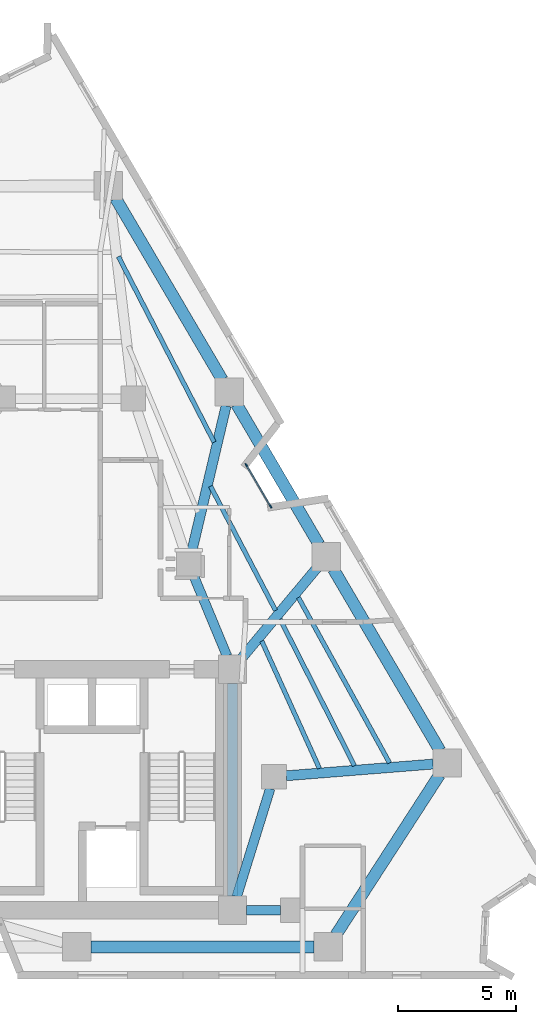
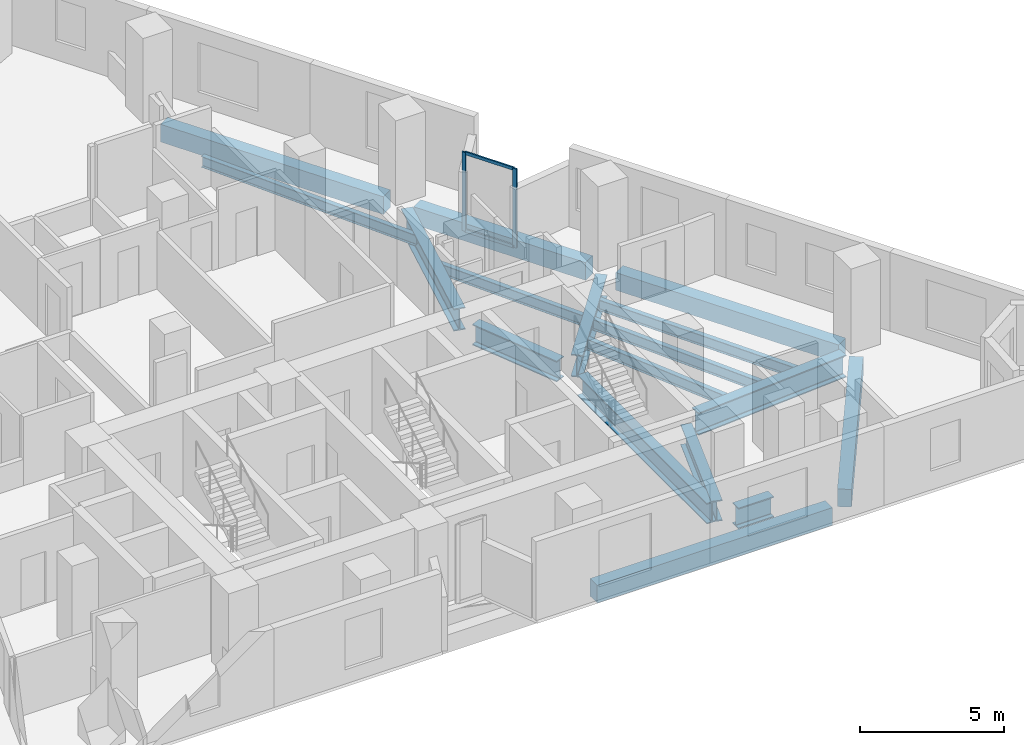
# One storey, part 4 of 11: 17 beams, 4 members, 1 element without a shape of its own.
"""IFC4 building model written with IfcOpenShell, lengths in metres."""

from ifc_helpers import new_model, si_unit, direction, frame, origin, origin_2d, place, context, subcontext, project, spatial, rectangle, i_section, extrude, material, layer, layer_set, material_profile, profile_set, type_object, element, aggregate, save


model = new_model("IFC4")

# Units and contexts
model_context = context("Model", 3, precision=1e-05, world=origin(), true_north=direction((0.0, 1.0)))
body_context = subcontext(model_context, "Body", "Model", "MODEL_VIEW")
ifc_project = project(units=[si_unit("LENGTHUNIT", "METRE"), si_unit("AREAUNIT", "SQUARE_METRE"), si_unit("VOLUMEUNIT", "CUBIC_METRE"), si_unit("PLANEANGLEUNIT", "RADIAN"), si_unit("MASSUNIT", "GRAM", prefix="KILO")], contexts=[model_context])

# Site, building, storey
site_placement = place(None, origin())
site = spatial("IfcSite", under=ifc_project, at=site_placement, CompositionType="ELEMENT")
building_placement = place(site_placement, origin())
building = spatial("IfcBuilding", under=site, at=building_placement, Name="Almagre Mirador Tower", CompositionType="ELEMENT")
storey_placement = place(building_placement, frame((0.0, 0.0, 128.39990234375)))
storey = spatial("IfcBuildingStorey", under=building, at=storey_placement, Name="L32", CompositionType="ELEMENT", Elevation=128.39990234375)

# Beams
ifc_material_1 = material(Name="Steel ASTM A992 Grade 50", Category="steel")
ifc_material_profile_1 = material_profile(ifc_material_1, i_section(OverallWidth=0.19091796875, OverallDepth=0.4599609375, WebThickness=0.010009765625, FlangeThickness=0.01611328125, FilletRadius=0.01611328125, at=origin_2d()), Name="W18X55")
ifc_profile_set_1 = profile_set([ifc_material_profile_1], Name="Steel ASTM A992 Grade 50")
beam_type_1 = type_object("IfcBeamType", Name="BM-JST-W18X55", PredefinedType="JOIST", material=ifc_profile_set_1)
beam_1_placement = place(storey_placement, frame((53.693603515625, 10.783203125, -0.47998046875), z_axis=(-0.482517733723, 0.875886200738, 0.0), x_axis=(-0.875886200738, -0.482517733723, 0.0)))
element("IfcBeam", 1, at=beam_1_placement, inside=storey, type_object=beam_type_1, Name="L32 secondary floor joist PC05-PC06.1", PredefinedType="JOIST", context=body_context, shape_type="SweptSolid", body=[
    extrude(i_section(OverallWidth=0.19091796875, OverallDepth=0.4599609375, WebThickness=0.010009765625, FlangeThickness=0.01611328125, FilletRadius=0.01611328125, at=origin_2d()), origin(), (0.0, 0.0, 1.0), 7.993896484375),
])
beam_2_placement = place(storey_placement, frame((52.208984375, 10.667724609375, -0.47998046875), z_axis=(-0.452785638359, 0.891619406303, 0.0), x_axis=(-0.891619406303, -0.452785638359, 0.0)))
element("IfcBeam", 2, at=beam_2_placement, inside=storey, type_object=beam_type_1, Name="L32 secondary floor joist PC05-PC06.2", PredefinedType="JOIST", context=body_context, shape_type="SweptSolid", body=[
    extrude(i_section(OverallWidth=0.19091796875, OverallDepth=0.4599609375, WebThickness=0.010009765625, FlangeThickness=0.01611328125, FilletRadius=0.01611328125, at=origin_2d()), origin(), (0.0, 0.0, 1.0), 6.947021484375),
])
beam_3_placement = place(storey_placement, frame((50.726806640625, 10.552978515625, -0.47998046875), z_axis=(-0.412539238264, 0.910939831653, 0.0), x_axis=(-0.910939831653, -0.412539238264, 0.0)))
element("IfcBeam", 3, at=beam_3_placement, inside=storey, type_object=beam_type_1, Name="L32 secondary floor joist PC05-PC06.3", PredefinedType="JOIST", context=body_context, shape_type="SweptSolid", body=[
    extrude(i_section(OverallWidth=0.19091796875, OverallDepth=0.4599609375, WebThickness=0.010009765625, FlangeThickness=0.01611328125, FilletRadius=0.01611328125, at=origin_2d()), origin(), (0.0, 0.0, 1.0), 5.911376953125),
])
beam_4_placement = place(storey_placement, frame((48.869384765625, 17.23779296875, -0.47998046875), z_axis=(-0.463750104962, 0.885966049094, 0.0), x_axis=(-0.885966049094, -0.463750104962, 0.0)))
element("IfcBeam", 4, at=beam_4_placement, inside=storey, type_object=beam_type_1, Name="L32 secondary floor joist PC06-PC07.2", PredefinedType="JOIST", context=body_context, shape_type="SweptSolid", body=[
    extrude(i_section(OverallWidth=0.19091796875, OverallDepth=0.4599609375, WebThickness=0.010009765625, FlangeThickness=0.01611328125, FilletRadius=0.01611328125, at=origin_2d()), origin(), (0.0, 0.0, 1.0), 5.930908203125),
])
beam_5_placement = place(storey_placement, frame((46.27392578125, 24.352294921875, -0.47998046875), z_axis=(-0.458369241004, 0.888761857249, 0.0), x_axis=(-0.888761857249, -0.458369241004, 0.0)))
element("IfcBeam", 5, at=beam_5_placement, inside=storey, type_object=beam_type_1, Name="L32 secondary floor joist PC07-PC08.1", PredefinedType="JOIST", context=body_context, shape_type="SweptSolid", body=[
    extrude(i_section(OverallWidth=0.19091796875, OverallDepth=0.4599609375, WebThickness=0.010009765625, FlangeThickness=0.01611328125, FilletRadius=0.01611328125, at=origin_2d()), origin(), (0.0, 0.0, 1.0), 8.840087890625),
])
ifc_material_2 = material(Name="Precast concrete C50/60", Category="concrete")
ifc_material_profile_2 = material_profile(ifc_material_2, rectangle(XDim=0.5, YDim=0.75, at=origin_2d()), Name="RC500X750")
ifc_profile_set_2 = profile_set([ifc_material_profile_2], Name="Precast concrete C50/60")
beam_type_2 = type_object("IfcBeamType", Name="BM-SPN-RC500X750", PredefinedType="SPANDREL", material=ifc_profile_set_2)
beam_6_placement = place(storey_placement, frame((41.055908203125, 3.0, -0.625), z_axis=(1.0, 0.0, 0.0), x_axis=(0.0, 1.0, 0.0)))
element("IfcBeam", 6, at=beam_6_placement, inside=storey, type_object=beam_type_2, Name="L32 perimeter spandrel beam PC03-PC04", PredefinedType="SPANDREL", context=body_context, shape_type="SweptSolid", body=[
    extrude(rectangle(XDim=0.5, YDim=0.75, at=origin_2d()), origin(), (0.0, 0.0, 1.0), 9.440185546875),
])
beam_7_placement = place(storey_placement, frame((51.422119140625, 3.503662109375, -0.625), z_axis=(0.543242499017, 0.839575837707, 0.0), x_axis=(-0.839575837707, 0.543242499017, 0.0)))
element("IfcBeam", 7, at=beam_7_placement, inside=storey, type_object=beam_type_2, Name="L32 perimeter spandrel beam PC04-PC05", PredefinedType="SPANDREL", context=body_context, shape_type="SweptSolid", body=[
    extrude(rectangle(XDim=0.5, YDim=0.75, at=origin_2d()), origin(), (0.0, 0.0, 1.0), 8.071533203125),
])
beam_8_placement = place(storey_placement, frame((55.8291015625, 11.301513671875, -0.625), z_axis=(-0.506318387543, 0.862346618498, 0.0), x_axis=(-0.862346618498, -0.506318387543, 0.0)))
element("IfcBeam", 8, at=beam_8_placement, inside=storey, type_object=beam_type_2, Name="L32 perimeter spandrel beam PC05-PC06", PredefinedType="SPANDREL", context=body_context, shape_type="SweptSolid", body=[
    extrude(rectangle(XDim=0.5, YDim=0.75, at=origin_2d()), origin(), (0.0, 0.0, 1.0), 8.911865234375),
])
beam_9_placement = place(storey_placement, frame((50.709228515625, 20.021484375, -0.625), z_axis=(-0.506343227047, 0.862332033745, 0.0), x_axis=(-0.862332033745, -0.506343227047, 0.0)))
element("IfcBeam", 9, at=beam_9_placement, inside=storey, type_object=beam_type_2, Name="L32 perimeter spandrel beam PC06-PC07", PredefinedType="SPANDREL", context=body_context, shape_type="SweptSolid", body=[
    extrude(rectangle(XDim=0.5, YDim=0.75, at=origin_2d()), origin(), (0.0, 0.0, 1.0), 6.8896484375),
])
beam_10_placement = place(storey_placement, frame((46.61328125, 26.997314453125, -0.625), z_axis=(-0.506326798076, 0.862341680281, 0.0), x_axis=(-0.862341680281, -0.506326798076, 0.0)))
element("IfcBeam", 10, at=beam_10_placement, inside=storey, type_object=beam_type_2, Name="L32 perimeter spandrel beam PC07-PC08", PredefinedType="SPANDREL", context=body_context, shape_type="SweptSolid", body=[
    extrude(rectangle(XDim=0.5, YDim=0.75, at=origin_2d()), origin(), (0.0, 0.0, 1.0), 8.912109375),
])
ifc_material_3 = material(Name="Steel ASTM A992 Grade 50", Category="steel")
ifc_material_profile_3 = material_profile(ifc_material_3, i_section(OverallWidth=0.404052734375, OverallDepth=0.884033203125, WebThickness=0.0244140625, FlangeThickness=0.0439453125, FilletRadius=0.02490234375, at=origin_2d()), Name="W33X291")
ifc_profile_set_3 = profile_set([ifc_material_profile_3], Name="Steel ASTM A992 Grade 50")
beam_type_3 = type_object("IfcBeamType", Name="BM-STL-W33X291", PredefinedType="BEAM", material=ifc_profile_set_3)
beam_11_placement = place(storey_placement, frame((47.050048828125, 5.14990234375, -0.69189453125), z_axis=(0.0, 1.0, 0.0), x_axis=(-1.0, 0.0, 0.0)))
element("IfcBeam", 11, at=beam_11_placement, inside=storey, type_object=beam_type_3, Name="L32 core tie girder CC3-CC6", PredefinedType="BEAM", context=body_context, shape_type="SweptSolid", body=[
    extrude(i_section(OverallWidth=0.404052734375, OverallDepth=0.884033203125, WebThickness=0.0244140625, FlangeThickness=0.0439453125, FilletRadius=0.02490234375, at=origin_2d()), origin(), (0.0, 0.0, 1.0), 9.0),
])
beam_12_placement = place(storey_placement, frame((49.074951171875, 4.550048828125, -0.69189453125), z_axis=(-1.0, 0.0, 0.0), x_axis=(0.0, -1.0, 0.0)))
element("IfcBeam", 12, at=beam_12_placement, inside=storey, type_object=beam_type_3, Name="L32 core tie girder MC2-CC3", PredefinedType="BEAM", context=body_context, shape_type="SweptSolid", body=[
    extrude(i_section(OverallWidth=0.404052734375, OverallDepth=0.884033203125, WebThickness=0.0244140625, FlangeThickness=0.0439453125, FilletRadius=0.02490234375, at=origin_2d()), origin(), (0.0, 0.0, 1.0), 1.425048828125),
])
beam_13_placement = place(storey_placement, frame((48.644775390625, 9.698486328125, -0.69189453125), z_axis=(-0.295879743348, -0.955225197258, 0.0), x_axis=(0.955225197258, -0.295879743348, 0.0)))
element("IfcBeam", 13, at=beam_13_placement, inside=storey, type_object=beam_type_3, Name="L32 core tie girder MC3-CC3", PredefinedType="BEAM", context=body_context, shape_type="SweptSolid", body=[
    extrude(i_section(OverallWidth=0.404052734375, OverallDepth=0.884033203125, WebThickness=0.0244140625, FlangeThickness=0.0439453125, FilletRadius=0.02490234375, at=origin_2d()), origin(), (0.0, 0.0, 1.0), 4.789794921875),
])
beam_14_placement = place(storey_placement, frame((45.401611328125, 18.715087890625, -0.69189453125), z_axis=(0.383845645019, -0.923397271384, 0.0), x_axis=(0.923397271384, 0.383845645019, 0.0)))
element("IfcBeam", 14, at=beam_14_placement, inside=storey, type_object=beam_type_3, Name="L32 core tie girder MC5-CC6", PredefinedType="BEAM", context=body_context, shape_type="SweptSolid", body=[
    extrude(i_section(OverallWidth=0.404052734375, OverallDepth=0.884033203125, WebThickness=0.0244140625, FlangeThickness=0.0439453125, FilletRadius=0.02490234375, at=origin_2d()), origin(), (0.0, 0.0, 1.0), 3.694091796875),
])
ifc_material_4 = material(Name="Steel ASTM A992 Grade 50", Category="steel")
ifc_material_profile_4 = material_profile(ifc_material_4, i_section(OverallWidth=0.423095703125, OverallDepth=0.947998046875, WebThickness=0.02392578125, FlangeThickness=0.042724609375, FilletRadius=0.028076171875, at=origin_2d()), Name="W36X302")
ifc_profile_set_4 = profile_set([ifc_material_profile_4], Name="Steel ASTM A992 Grade 50")
beam_type_4 = type_object("IfcBeamType", Name="BM-STL-W36X302", PredefinedType="BEAM", material=ifc_profile_set_4)
beam_15_placement = place(storey_placement, frame((55.534912109375, 10.736328125, -0.723876953125), z_axis=(-0.996844611006, -0.079377714181, 0.0), x_axis=(0.079377714181, -0.996844611006, 0.0)))
element("IfcBeam", 15, at=beam_15_placement, inside=storey, type_object=beam_type_4, Name="L32 radial floor girder PC05-MC3", PredefinedType="BEAM", context=body_context, shape_type="SweptSolid", body=[
    extrude(i_section(OverallWidth=0.423095703125, OverallDepth=0.947998046875, WebThickness=0.02392578125, FlangeThickness=0.042724609375, FilletRadius=0.028076171875, at=origin_2d()), origin(), (0.0, 0.0, 1.0), 6.2314453125),
])
beam_16_placement = place(storey_placement, frame((50.62890625, 19.043212890625, -0.723876953125), z_axis=(-0.640333592282, -0.768096927865, 0.0), x_axis=(0.768096927865, -0.640333592282, 0.0)))
element("IfcBeam", 16, at=beam_16_placement, inside=storey, type_object=beam_type_4, Name="L32 radial floor girder PC06-CC6", PredefinedType="BEAM", context=body_context, shape_type="SweptSolid", body=[
    extrude(i_section(OverallWidth=0.423095703125, OverallDepth=0.947998046875, WebThickness=0.02392578125, FlangeThickness=0.042724609375, FilletRadius=0.028076171875, at=origin_2d()), origin(), (0.0, 0.0, 1.0), 4.9892578125),
])
beam_17_placement = place(storey_placement, frame((46.779296875, 25.89599609375, -0.723876953125), z_axis=(-0.229551088102, -0.973296613552, 0.0), x_axis=(0.973296613552, -0.229551088102, 0.0)))
element("IfcBeam", 17, at=beam_17_placement, inside=storey, type_object=beam_type_4, Name="L32 radial floor girder PC07-MC5", PredefinedType="BEAM", context=body_context, shape_type="SweptSolid", body=[
    extrude(i_section(OverallWidth=0.423095703125, OverallDepth=0.947998046875, WebThickness=0.02392578125, FlangeThickness=0.042724609375, FilletRadius=0.028076171875, at=origin_2d()), origin(), (0.0, 0.0, 1.0), 6.354736328125),
])

# Curtain wall, members
ifc_material_5 = material(Name="Black anodized aluminium", Category="aluminium")
ifc_layer = layer(ifc_material_5, 0.169921875)
ifc_layer_set = layer_set([ifc_layer], Name="Black anodized aluminium")
curtain_wall_type = type_object("IfcCurtainWallType", Name="CW-CRS-SYS", PredefinedType="NOTDEFINED", material=ifc_layer_set)
curtain_wall_placement = place(storey_placement, origin())
curtain_wall = element("IfcCurtainWall", 18, at=curtain_wall_placement, inside=storey, type_object=curtain_wall_type, Name="L32 vertical crease curtain wall 03", PredefinedType="NOTDEFINED")
ifc_material_6 = material(Name="Black anodized aluminium", Category="aluminium")
ifc_material_profile_5 = material_profile(ifc_material_6, rectangle(XDim=0.06005859375, YDim=0.14990234375, at=origin_2d()), Name="CWM60X150")
ifc_profile_set_5 = profile_set([ifc_material_profile_5], Name="Black anodized aluminium")
member_type_1 = type_object("IfcMemberType", Name="MBR-CWM60X150", PredefinedType="MULLION", material=ifc_profile_set_5)
member_1_placement = place(storey_placement, frame((47.632080078125, 23.38720703125, 0.0), z_axis=(0.0, 0.0, 1.0), x_axis=(0.862474794745, 0.506100018207, 0.0)))
member_1 = element("IfcMember", 19, at=member_1_placement, type_object=member_type_1, Name="CW-4 mullion 1", PredefinedType="MULLION", context=body_context, shape_type="SweptSolid", body=[
    extrude(rectangle(XDim=0.06005859375, YDim=0.14990234375, at=origin_2d()), origin(), (0.0, 0.0, 1.0), 3.35009765625),
])
member_2_placement = place(storey_placement, frame((48.659912109375, 21.635986328125, 0.0), z_axis=(0.0, 0.0, 1.0), x_axis=(0.862474794745, 0.506100018207, 0.0)))
member_2 = element("IfcMember", 20, at=member_2_placement, type_object=member_type_1, Name="CW-4 mullion 2", PredefinedType="MULLION", context=body_context, shape_type="SweptSolid", body=[
    extrude(rectangle(XDim=0.06005859375, YDim=0.14990234375, at=origin_2d()), origin(), (0.0, 0.0, 1.0), 3.35009765625),
])
ifc_material_7 = material(Name="Black anodized aluminium", Category="aluminium")
ifc_material_profile_6 = material_profile(ifc_material_7, rectangle(XDim=0.06005859375, YDim=0.1298828125, at=origin_2d()), Name="CWT60X130")
ifc_profile_set_6 = profile_set([ifc_material_profile_6], Name="Black anodized aluminium")
member_type_2 = type_object("IfcMemberType", Name="MBR-CWT60X130", PredefinedType="USERDEFINED", material=ifc_profile_set_6)
member_3_placement = place(storey_placement, frame((47.6474609375, 23.361328125, 0.030029296875), z_axis=(0.506034276354, -0.862513368682, 0.0), x_axis=(0.862513368682, 0.506034276354, 0.0)))
member_3 = element("IfcMember", 21, at=member_3_placement, type_object=member_type_2, Name="CW-4 transom 1.1", ObjectType="TRANSOM", PredefinedType="USERDEFINED", context=body_context, shape_type="SweptSolid", body=[
    extrude(rectangle(XDim=0.06005859375, YDim=0.1298828125, at=origin_2d()), origin(), (0.0, 0.0, 1.0), 1.970458984375),
])
member_4_placement = place(storey_placement, frame((47.6474609375, 23.361328125, 3.320068359375), z_axis=(0.506034276354, -0.862513368682, 0.0), x_axis=(0.862513368682, 0.506034276354, 0.0)))
member_4 = element("IfcMember", 22, at=member_4_placement, type_object=member_type_2, Name="CW-4 transom 1.2", ObjectType="TRANSOM", PredefinedType="USERDEFINED", context=body_context, shape_type="SweptSolid", body=[
    extrude(rectangle(XDim=0.06005859375, YDim=0.1298828125, at=origin_2d()), origin(), (0.0, 0.0, 1.0), 1.970458984375),
])
aggregate(curtain_wall, [member_1, member_2, member_3, member_4])

save(model, "model.ifc")
